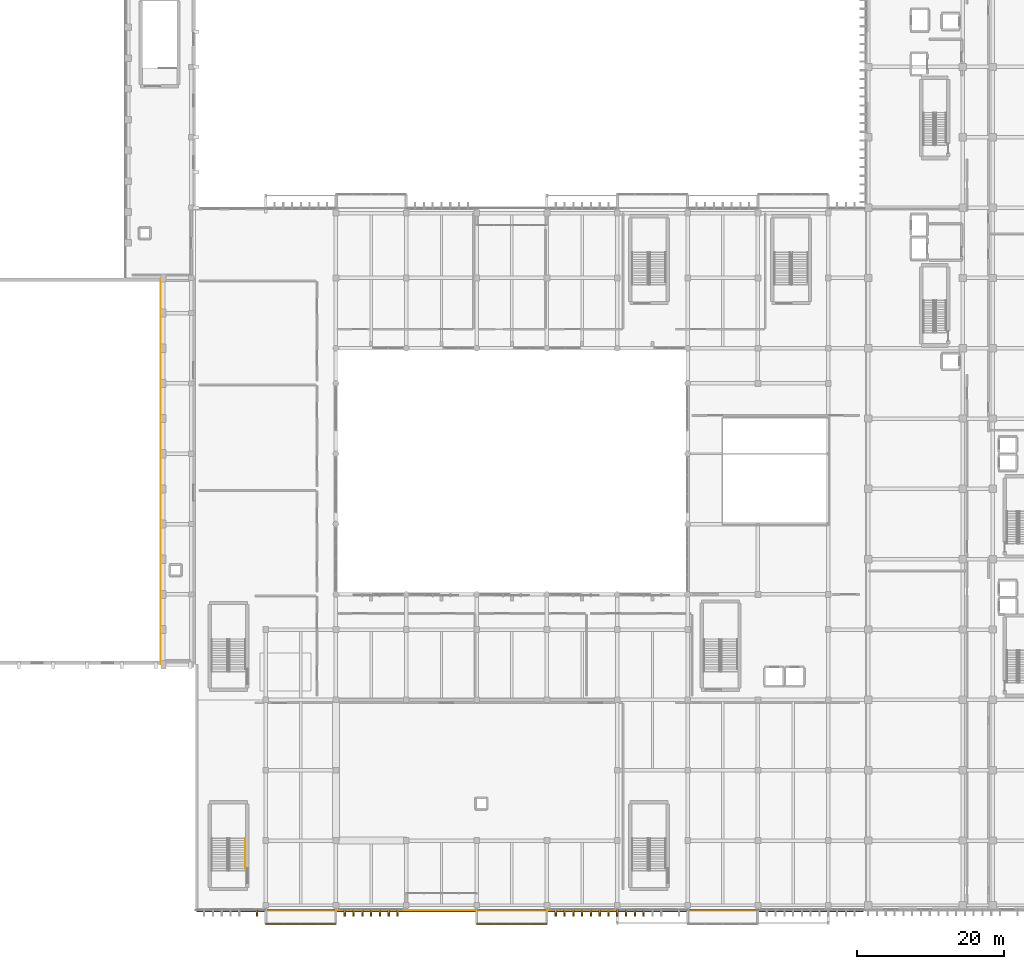
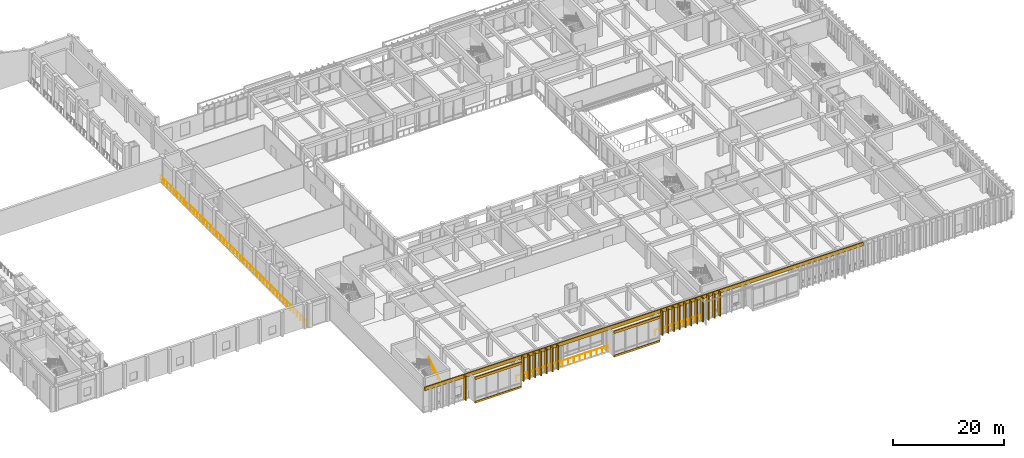
# One storey, part 120 of 134: 24 coverings, 19 shading devices, 5 railings.
"""IFC4 building model written with IfcOpenShell, lengths in metres."""

from ifc_helpers import new_model, si_unit, direction, frame, origin, origin_2d, place, context, subcontext, project, spatial, rectangle, circle, extrude, material, layer, layer_set, type_object, element, save


model = new_model("IFC4")

# Units and contexts
model_context = context("Model", 3, precision=1e-05, world=origin(), true_north=direction((0.0, 1.0)))
body_context = subcontext(model_context, "Body", "Model", "MODEL_VIEW")
ifc_project = project(units=[si_unit("LENGTHUNIT", "METRE"), si_unit("AREAUNIT", "SQUARE_METRE"), si_unit("VOLUMEUNIT", "CUBIC_METRE"), si_unit("PLANEANGLEUNIT", "RADIAN"), si_unit("MASSUNIT", "GRAM", prefix="KILO")], contexts=[model_context])

# Site, building, storey
site_placement = place(None, origin())
site = spatial("IfcSite", under=ifc_project, at=site_placement, CompositionType="ELEMENT")
building_placement = place(site_placement, origin())
building = spatial("IfcBuilding", under=site, at=building_placement, Name="Nakhvara Creek Congress Hotel", CompositionType="ELEMENT")
storey_placement = place(building_placement, frame((0.0, 0.0, 6.0)))
storey = spatial("IfcBuildingStorey", under=building, at=storey_placement, Name="L01", CompositionType="ELEMENT", Elevation=6.0)

# Coverings
ifc_material_1 = material(Name="Honed pale Omani limestone architectural cladding", Category="masonry")
ifc_layer_1 = layer(ifc_material_1, 0.219970703125)
ifc_layer_set_1 = layer_set([ifc_layer_1], Name="Honed pale Omani limestone architectural cladding")
covering_type_1 = type_object("IfcCoveringType", Name="COV-FIN-850", PredefinedType="CLADDING", material=ifc_layer_set_1)
for number, where, z_axis, x_axis, name in (
    (1, (66.0, -0.304931640625, 0.0), (0.0, 0.0, 1.0), (1.0, 0.0, 0.0), "Pale Limestone Fin Cladding CF01-0153"),
    (2, (78.0, -0.304931640625, 0.0), (0.0, 0.0, 1.0), (1.0, 0.0, 0.0), "Pale Limestone Fin Cladding CF01-0154"),
    (3, (79.199951171875, -0.304931640625, 0.0), (0.0, 0.0, 1.0), (1.0, 0.0, 0.0), "Pale Limestone Fin Cladding CF01-0155"),
    (4, (80.39990234375, -0.304931640625, 0.0), (0.0, 0.0, 1.0), (1.0, 0.0, 0.0), "Pale Limestone Fin Cladding CF01-0156"),
    (5, (81.60009765625, -0.304931640625, 0.0), (0.0, 0.0, 1.0), (1.0, 0.0, 0.0), "Pale Limestone Fin Cladding CF01-0157"),
    (6, (82.800048828125, -0.304931640625, 0.0), (0.0, 0.0, 1.0), (1.0, 0.0, 0.0), "Pale Limestone Fin Cladding CF01-0158"),
    (7, (84.0, -0.304931640625, 0.0), (0.0, 0.0, 1.0), (1.0, 0.0, 0.0), "Pale Limestone Fin Cladding CF01-0159"),
    (8, (85.199951171875, -0.304931640625, 0.0), (0.0, 0.0, 1.0), (1.0, 0.0, 0.0), "Pale Limestone Fin Cladding CF01-0160"),
    (9, (106.800048828125, -0.304931640625, 0.0), (0.0, 0.0, 1.0), (1.0, 0.0, 0.0), "Pale Limestone Fin Cladding CF01-0161"),
    (10, (108.0, -0.304931640625, 0.0), (0.0, 0.0, 1.0), (1.0, 0.0, 0.0), "Pale Limestone Fin Cladding CF01-0162"),
    (11, (109.199951171875, -0.304931640625, 0.0), (0.0, 0.0, 1.0), (1.0, 0.0, 0.0), "Pale Limestone Fin Cladding CF01-0163"),
    (12, (110.39990234375, -0.304931640625, 0.0), (0.0, 0.0, 1.0), (1.0, 0.0, 0.0), "Pale Limestone Fin Cladding CF01-0164"),
    (13, (111.60009765625, -0.304931640625, 0.0), (0.0, 0.0, 1.0), (1.0, 0.0, 0.0), "Pale Limestone Fin Cladding CF01-0165"),
    (14, (112.800048828125, -0.304931640625, 0.0), (0.0, 0.0, 1.0), (1.0, 0.0, 0.0), "Pale Limestone Fin Cladding CF01-0166"),
    (15, (114.0, -0.304931640625, 0.0), (0.0, 0.0, 1.0), (1.0, 0.0, 0.0), "Pale Limestone Fin Cladding CF01-0167"),
    (16, (115.199951171875, -0.304931640625, 0.0), (0.0, 0.0, 1.0), (1.0, 0.0, 0.0), "Pale Limestone Fin Cladding CF01-0168"),
    (17, (116.39990234375, -0.304931640625, 0.0), (0.0, 0.0, 1.0), (1.0, 0.0, 0.0), "Pale Limestone Fin Cladding CF01-0169"),
    (18, (117.60009765625, -0.304931640625, 0.0), (0.0, 0.0, 1.0), (1.0, 0.0, 0.0), "Pale Limestone Fin Cladding CF01-0170"),
    (19, (118.800048828125, -0.304931640625, 0.0), (0.0, 0.0, 1.0), (1.0, 0.0, 0.0), "Pale Limestone Fin Cladding CF01-0171"),
):
    element("IfcCovering", number, at=place(storey_placement, frame(where, z_axis=z_axis, x_axis=x_axis)), inside=storey, type_object=covering_type_1, Name=name, PredefinedType="CLADDING", context=body_context, shape_type="SweptSolid", body=[
        extrude(rectangle(XDim=0.219970703125, YDim=0.85009765625, at=origin_2d()), origin(), (0.0, 0.0, 1.0), 5.320068359375),
    ])
ifc_layer_2 = layer(ifc_material_1, 0.179931640625)
ifc_layer_set_2 = layer_set([ifc_layer_2], Name="Honed pale Omani limestone architectural cladding")
covering_type_2 = type_object("IfcCoveringType", Name="COV-SPN-180", PredefinedType="CLADDING", material=ifc_layer_set_2)
covering_1_placement = place(storey_placement, frame((103.300048828125, 0.010009765625, 4.64013671875), z_axis=(0.0, 0.0, 1.0), x_axis=(1.0, 0.0, 0.0)))
element("IfcCovering", 20, at=covering_1_placement, inside=storey, type_object=covering_type_2, Name="Pale Limestone Spandrel Band CF02-0005", PredefinedType="CLADDING", context=body_context, shape_type="SweptSolid", body=[
    extrude(rectangle(XDim=91.0, YDim=0.219970703125, at=origin_2d()), origin(), (0.0, 0.0, 1.0), 0.780029296875),
])
covering_2_placement = place(storey_placement, frame((72.0, -1.800048828125, -0.260009765625), z_axis=(0.0, 0.0, 1.0), x_axis=(1.0, 0.0, 0.0)))
element("IfcCovering", 21, at=covering_2_placement, inside=storey, type_object=covering_type_2, Name="Pale Limestone Spandrel Band CF02-0012", PredefinedType="CLADDING", context=body_context, shape_type="SweptSolid", body=[
    extrude(rectangle(XDim=9.60009765625, YDim=0.199951171875, at=origin_2d()), origin(), (0.0, 0.0, 1.0), 0.419921875),
])
covering_3_placement = place(storey_placement, frame((72.0, -1.800048828125, 4.89990234375), z_axis=(0.0, 0.0, 1.0), x_axis=(1.0, 0.0, 0.0)))
element("IfcCovering", 22, at=covering_3_placement, inside=storey, type_object=covering_type_2, Name="Pale Limestone Spandrel Band CF02-0013", PredefinedType="CLADDING", context=body_context, shape_type="SweptSolid", body=[
    extrude(rectangle(XDim=9.60009765625, YDim=0.199951171875, at=origin_2d()), origin(), (0.0, 0.0, 1.0), 0.56005859375),
])
covering_4_placement = place(storey_placement, frame((100.800048828125, -1.800048828125, -0.260009765625), z_axis=(0.0, 0.0, 1.0), x_axis=(1.0, 0.0, 0.0)))
element("IfcCovering", 23, at=covering_4_placement, inside=storey, type_object=covering_type_2, Name="Pale Limestone Spandrel Band CF02-0014", PredefinedType="CLADDING", context=body_context, shape_type="SweptSolid", body=[
    extrude(rectangle(XDim=9.60009765625, YDim=0.199951171875, at=origin_2d()), origin(), (0.0, 0.0, 1.0), 0.419921875),
])
covering_5_placement = place(storey_placement, frame((100.800048828125, -1.800048828125, 4.89990234375), z_axis=(0.0, 0.0, 1.0), x_axis=(1.0, 0.0, 0.0)))
element("IfcCovering", 24, at=covering_5_placement, inside=storey, type_object=covering_type_2, Name="Pale Limestone Spandrel Band CF02-0015", PredefinedType="CLADDING", context=body_context, shape_type="SweptSolid", body=[
    extrude(rectangle(XDim=9.60009765625, YDim=0.199951171875, at=origin_2d()), origin(), (0.0, 0.0, 1.0), 0.56005859375),
])

# Railings
ifc_material_2 = material(Name="Bronze-anodised aluminium and laminated safety glass balustrade", Category="aluminium")
railing_type_1 = type_object("IfcRailingType", Name="RL-BALUS-1200", PredefinedType="BALUSTRADE", material=ifc_material_2)
railing_1_placement = place(storey_placement, frame((86.47998046875, 0.080078125, 0.0)))
element("IfcRailing", 25, at=railing_1_placement, inside=storey, type_object=railing_type_1, Name="South Loggia Balustrade RBOX-L01-S1", PredefinedType="BALUSTRADE", context=body_context, shape_type="SweptSolid", body=[
    extrude(circle(Radius=0.02392578125, at=origin_2d()), frame((0.0146484375, 0.0, 1.17578125), z_axis=(1.0, 0.0, 0.0), x_axis=(0.0, 1.0, 0.0)), (0.0, 0.0, 1.0), 9.41064453125),
    extrude(circle(Radius=0.02099609375, at=origin_2d()), origin(), (0.0, 0.0, 1.0), 1.1806640625),
    extrude(circle(Radius=0.02099609375, at=origin_2d()), frame((1.179931640625, 0.0, 0.0)), (0.0, 0.0, 1.0), 1.1806640625),
    extrude(circle(Radius=0.02099609375, at=origin_2d()), frame((2.35986328125, 0.0, 0.0)), (0.0, 0.0, 1.0), 1.1806640625),
    extrude(circle(Radius=0.02099609375, at=origin_2d()), frame((3.5400390625, 0.0, 0.0)), (0.0, 0.0, 1.0), 1.1806640625),
    extrude(circle(Radius=0.02099609375, at=origin_2d()), frame((4.719970703125, 0.0, 0.0)), (0.0, 0.0, 1.0), 1.1806640625),
    extrude(circle(Radius=0.02099609375, at=origin_2d()), frame((5.89990234375, 0.0, 0.0)), (0.0, 0.0, 1.0), 1.1806640625),
    extrude(circle(Radius=0.02099609375, at=origin_2d()), frame((7.080078125, 0.0, 0.0)), (0.0, 0.0, 1.0), 1.1806640625),
    extrude(circle(Radius=0.02099609375, at=origin_2d()), frame((8.260009765625, 0.0, 0.0)), (0.0, 0.0, 1.0), 1.1806640625),
    extrude(circle(Radius=0.02099609375, at=origin_2d()), frame((9.43994140625, 0.0, 0.0)), (0.0, 0.0, 1.0), 1.1806640625),
])
ifc_material_3 = material(Name="Brushed stainless steel 316L", Category="steel")
railing_type_2 = type_object("IfcRailingType", Name="RL-GUARD-1200", PredefinedType="GUARDRAIL", material=ifc_material_3)
for number, where, name in (
    (26, (76.860107421875, 0.080078125, 0.0), "South Spa Facade Safety Rail L01-76"),
    (27, (105.659912109375, 0.080078125, 0.0), "South Spa Facade Safety Rail L01-105"),
):
    element("IfcRailing", number, at=place(storey_placement, frame(where)), inside=storey, type_object=railing_type_2, Name=name, PredefinedType="GUARDRAIL", context=body_context, shape_type="SweptSolid", body=[
        extrude(circle(Radius=0.02392578125, at=origin_2d()), frame((0.0146484375, 0.0, 1.17578125), z_axis=(1.0, 0.0, 0.0), x_axis=(0.0, 1.0, 0.0)), (0.0, 0.0, 1.0), 9.45068359375),
        extrude(circle(Radius=0.02099609375, at=origin_2d()), origin(), (0.0, 0.0, 1.0), 1.1806640625),
        extrude(circle(Radius=0.02099609375, at=origin_2d()), frame((1.18505859375, 0.0, 0.0)), (0.0, 0.0, 1.0), 1.1806640625),
        extrude(circle(Radius=0.02099609375, at=origin_2d()), frame((2.3701171875, 0.0, 0.0)), (0.0, 0.0, 1.0), 1.1806640625),
        extrude(circle(Radius=0.02099609375, at=origin_2d()), frame((3.554931640625, 0.0, 0.0)), (0.0, 0.0, 1.0), 1.1806640625),
        extrude(circle(Radius=0.02099609375, at=origin_2d()), frame((4.739990234375, 0.0, 0.0)), (0.0, 0.0, 1.0), 1.1806640625),
        extrude(circle(Radius=0.02099609375, at=origin_2d()), frame((5.925048828125, 0.0, 0.0)), (0.0, 0.0, 1.0), 1.1806640625),
        extrude(circle(Radius=0.02099609375, at=origin_2d()), frame((7.10986328125, 0.0, 0.0)), (0.0, 0.0, 1.0), 1.1806640625),
        extrude(circle(Radius=0.02099609375, at=origin_2d()), frame((8.294921875, 0.0, 0.0)), (0.0, 0.0, 1.0), 1.1806640625),
        extrude(circle(Radius=0.02099609375, at=origin_2d()), frame((9.47998046875, 0.0, 0.0)), (0.0, 0.0, 1.0), 1.1806640625),
    ])
railing_2_placement = place(storey_placement, frame((52.8798828125, 33.699951171875, 0.0)))
element("IfcRailing", 28, at=railing_2_placement, inside=storey, type_object=railing_type_2, Name="Stage Gallery Inner Guard L01", PredefinedType="GUARDRAIL", context=body_context, shape_type="SweptSolid", body=[
    extrude(circle(Radius=0.02392578125, at=origin_2d()), frame((0.0, 0.0146484375, 1.17578125), z_axis=(0.0, 1.0, 0.0), x_axis=(-1.0, 0.0, 0.0)), (0.0, 0.0, 1.0), 52.57080078125),
    extrude(circle(Radius=0.02099609375, at=origin_2d()), origin(), (0.0, 0.0, 1.0), 1.1806640625),
    extrude(circle(Radius=0.02099609375, at=origin_2d()), frame((0.0, 1.195556640625, 0.0)), (0.0, 0.0, 1.0), 1.1806640625),
    extrude(circle(Radius=0.02099609375, at=origin_2d()), frame((0.0, 2.390869140625, 0.0)), (0.0, 0.0, 1.0), 1.1806640625),
    extrude(circle(Radius=0.02099609375, at=origin_2d()), frame((0.0, 3.58642578125, 0.0)), (0.0, 0.0, 1.0), 1.1806640625),
    extrude(circle(Radius=0.02099609375, at=origin_2d()), frame((0.0, 4.78173828125, 0.0)), (0.0, 0.0, 1.0), 1.1806640625),
    extrude(circle(Radius=0.02099609375, at=origin_2d()), frame((0.0, 5.977294921875, 0.0)), (0.0, 0.0, 1.0), 1.1806640625),
    extrude(circle(Radius=0.02099609375, at=origin_2d()), frame((0.0, 7.1728515625, 0.0)), (0.0, 0.0, 1.0), 1.1806640625),
    extrude(circle(Radius=0.02099609375, at=origin_2d()), frame((0.0, 8.3681640625, 0.0)), (0.0, 0.0, 1.0), 1.1806640625),
    extrude(circle(Radius=0.02099609375, at=origin_2d()), frame((0.0, 9.563720703125, 0.0)), (0.0, 0.0, 1.0), 1.1806640625),
    extrude(circle(Radius=0.02099609375, at=origin_2d()), frame((0.0, 10.759033203125, 0.0)), (0.0, 0.0, 1.0), 1.1806640625),
    extrude(circle(Radius=0.02099609375, at=origin_2d()), frame((0.0, 11.95458984375, 0.0)), (0.0, 0.0, 1.0), 1.1806640625),
    extrude(circle(Radius=0.02099609375, at=origin_2d()), frame((0.0, 13.14990234375, 0.0)), (0.0, 0.0, 1.0), 1.1806640625),
    extrude(circle(Radius=0.02099609375, at=origin_2d()), frame((0.0, 14.345458984375, 0.0)), (0.0, 0.0, 1.0), 1.1806640625),
    extrude(circle(Radius=0.02099609375, at=origin_2d()), frame((0.0, 15.541015625, 0.0)), (0.0, 0.0, 1.0), 1.1806640625),
    extrude(circle(Radius=0.02099609375, at=origin_2d()), frame((0.0, 16.736328125, 0.0)), (0.0, 0.0, 1.0), 1.1806640625),
    extrude(circle(Radius=0.02099609375, at=origin_2d()), frame((0.0, 17.931884765625, 0.0)), (0.0, 0.0, 1.0), 1.1806640625),
    extrude(circle(Radius=0.02099609375, at=origin_2d()), frame((0.0, 19.127197265625, 0.0)), (0.0, 0.0, 1.0), 1.1806640625),
    extrude(circle(Radius=0.02099609375, at=origin_2d()), frame((0.0, 20.32275390625, 0.0)), (0.0, 0.0, 1.0), 1.1806640625),
    extrude(circle(Radius=0.02099609375, at=origin_2d()), frame((0.0, 21.518310546875, 0.0)), (0.0, 0.0, 1.0), 1.1806640625),
    extrude(circle(Radius=0.02099609375, at=origin_2d()), frame((0.0, 22.713623046875, 0.0)), (0.0, 0.0, 1.0), 1.1806640625),
    extrude(circle(Radius=0.02099609375, at=origin_2d()), frame((0.0, 23.9091796875, 0.0)), (0.0, 0.0, 1.0), 1.1806640625),
    extrude(circle(Radius=0.02099609375, at=origin_2d()), frame((0.0, 25.1044921875, 0.0)), (0.0, 0.0, 1.0), 1.1806640625),
    extrude(circle(Radius=0.02099609375, at=origin_2d()), frame((0.0, 26.300048828125, 0.0)), (0.0, 0.0, 1.0), 1.1806640625),
    extrude(circle(Radius=0.02099609375, at=origin_2d()), frame((0.0, 27.49560546875, 0.0)), (0.0, 0.0, 1.0), 1.1806640625),
    extrude(circle(Radius=0.02099609375, at=origin_2d()), frame((0.0, 28.69091796875, 0.0)), (0.0, 0.0, 1.0), 1.1806640625),
    extrude(circle(Radius=0.02099609375, at=origin_2d()), frame((0.0, 29.886474609375, 0.0)), (0.0, 0.0, 1.0), 1.1806640625),
    extrude(circle(Radius=0.02099609375, at=origin_2d()), frame((0.0, 31.081787109375, 0.0)), (0.0, 0.0, 1.0), 1.1806640625),
    extrude(circle(Radius=0.02099609375, at=origin_2d()), frame((0.0, 32.27734375, 0.0)), (0.0, 0.0, 1.0), 1.1806640625),
    extrude(circle(Radius=0.02099609375, at=origin_2d()), frame((0.0, 33.472900390625, 0.0)), (0.0, 0.0, 1.0), 1.1806640625),
    extrude(circle(Radius=0.02099609375, at=origin_2d()), frame((0.0, 34.668212890625, 0.0)), (0.0, 0.0, 1.0), 1.1806640625),
    extrude(circle(Radius=0.02099609375, at=origin_2d()), frame((0.0, 35.86376953125, 0.0)), (0.0, 0.0, 1.0), 1.1806640625),
    extrude(circle(Radius=0.02099609375, at=origin_2d()), frame((0.0, 37.05908203125, 0.0)), (0.0, 0.0, 1.0), 1.1806640625),
    extrude(circle(Radius=0.02099609375, at=origin_2d()), frame((0.0, 38.254638671875, 0.0)), (0.0, 0.0, 1.0), 1.1806640625),
    extrude(circle(Radius=0.02099609375, at=origin_2d()), frame((0.0, 39.4501953125, 0.0)), (0.0, 0.0, 1.0), 1.1806640625),
    extrude(circle(Radius=0.02099609375, at=origin_2d()), frame((0.0, 40.6455078125, 0.0)), (0.0, 0.0, 1.0), 1.1806640625),
    extrude(circle(Radius=0.02099609375, at=origin_2d()), frame((0.0, 41.841064453125, 0.0)), (0.0, 0.0, 1.0), 1.1806640625),
    extrude(circle(Radius=0.02099609375, at=origin_2d()), frame((0.0, 43.036376953125, 0.0)), (0.0, 0.0, 1.0), 1.1806640625),
    extrude(circle(Radius=0.02099609375, at=origin_2d()), frame((0.0, 44.23193359375, 0.0)), (0.0, 0.0, 1.0), 1.1806640625),
    extrude(circle(Radius=0.02099609375, at=origin_2d()), frame((0.0, 45.42724609375, 0.0)), (0.0, 0.0, 1.0), 1.1806640625),
    extrude(circle(Radius=0.02099609375, at=origin_2d()), frame((0.0, 46.622802734375, 0.0)), (0.0, 0.0, 1.0), 1.1806640625),
    extrude(circle(Radius=0.02099609375, at=origin_2d()), frame((0.0, 47.818359375, 0.0)), (0.0, 0.0, 1.0), 1.1806640625),
    extrude(circle(Radius=0.02099609375, at=origin_2d()), frame((0.0, 49.013671875, 0.0)), (0.0, 0.0, 1.0), 1.1806640625),
    extrude(circle(Radius=0.02099609375, at=origin_2d()), frame((0.0, 50.209228515625, 0.0)), (0.0, 0.0, 1.0), 1.1806640625),
    extrude(circle(Radius=0.02099609375, at=origin_2d()), frame((0.0, 51.404541015625, 0.0)), (0.0, 0.0, 1.0), 1.1806640625),
    extrude(circle(Radius=0.02099609375, at=origin_2d()), frame((0.0, 52.60009765625, 0.0)), (0.0, 0.0, 1.0), 1.1806640625),
])
railing_type_3 = type_object("IfcRailingType", Name="RL-HAND-900", PredefinedType="HANDRAIL", material=ifc_material_3)
railing_3_placement = place(storey_placement, frame((64.405029296875, 5.794921875, 0.360107421875)))
element("IfcRailing", 29, at=railing_3_placement, inside=storey, type_object=railing_type_3, Name="L01 ST11 stair handrail 1", PredefinedType="HANDRAIL", context=body_context, shape_type="SweptSolid", body=[
    extrude(circle(Radius=0.02392578125, at=origin_2d()), frame((0.0, 0.012451171875, 0.883544921875), z_axis=(0.0, 0.850634571024, 0.52575738376), x_axis=(-1.0, 0.0, 0.0)), (0.0, 0.0, 1.0), 4.78466796875),
    extrude(circle(Radius=0.02099609375, at=origin_2d()), origin(), (0.0, 0.0, 1.0), 0.880615234375),
    extrude(circle(Radius=0.02099609375, at=origin_2d()), frame((0.0, 0.819091796875, 0.506103515625)), (0.0, 0.0, 1.0), 0.880615234375),
    extrude(circle(Radius=0.02099609375, at=origin_2d()), frame((0.0, 1.637939453125, 1.012451171875)), (0.0, 0.0, 1.0), 0.880615234375),
    extrude(circle(Radius=0.02099609375, at=origin_2d()), frame((0.0, 2.45703125, 1.5185546875)), (0.0, 0.0, 1.0), 0.880615234375),
    extrude(circle(Radius=0.02099609375, at=origin_2d()), frame((0.0, 3.27587890625, 2.02490234375)), (0.0, 0.0, 1.0), 0.880615234375),
    extrude(circle(Radius=0.02099609375, at=origin_2d()), frame((0.0, 4.094970703125, 2.531005859375)), (0.0, 0.0, 1.0), 0.880615234375),
])

# Shading devices
ifc_material_4 = material(Name="Honed pale Omani limestone cladding on stainless steel spine", Category="masonry")
shading_device_type = type_object("IfcShadingDeviceType", Name="SHD-FIN-850X4700", PredefinedType="USERDEFINED", material=ifc_material_4)
for number, where, z_axis, x_axis, name in (
    (30, (66.0, -0.304931640625, 0.0), (0.0, 0.0, 1.0), (1.0, 0.0, 0.0), "Limestone Solar Fin FN02-0153"),
    (31, (78.0, -0.304931640625, 0.0), (0.0, 0.0, 1.0), (1.0, 0.0, 0.0), "Limestone Solar Fin FN02-0154"),
    (32, (79.199951171875, -0.304931640625, 0.0), (0.0, 0.0, 1.0), (1.0, 0.0, 0.0), "Limestone Solar Fin FN02-0155"),
    (33, (80.39990234375, -0.304931640625, 0.0), (0.0, 0.0, 1.0), (1.0, 0.0, 0.0), "Limestone Solar Fin FN02-0156"),
    (34, (81.60009765625, -0.304931640625, 0.0), (0.0, 0.0, 1.0), (1.0, 0.0, 0.0), "Limestone Solar Fin FN02-0157"),
    (35, (82.800048828125, -0.304931640625, 0.0), (0.0, 0.0, 1.0), (1.0, 0.0, 0.0), "Limestone Solar Fin FN02-0158"),
    (36, (84.0, -0.304931640625, 0.0), (0.0, 0.0, 1.0), (1.0, 0.0, 0.0), "Limestone Solar Fin FN02-0159"),
    (37, (85.199951171875, -0.304931640625, 0.0), (0.0, 0.0, 1.0), (1.0, 0.0, 0.0), "Limestone Solar Fin FN02-0160"),
    (38, (106.800048828125, -0.304931640625, 0.0), (0.0, 0.0, 1.0), (1.0, 0.0, 0.0), "Limestone Solar Fin FN02-0161"),
    (39, (108.0, -0.304931640625, 0.0), (0.0, 0.0, 1.0), (1.0, 0.0, 0.0), "Limestone Solar Fin FN02-0162"),
    (40, (109.199951171875, -0.304931640625, 0.0), (0.0, 0.0, 1.0), (1.0, 0.0, 0.0), "Limestone Solar Fin FN02-0163"),
    (41, (110.39990234375, -0.304931640625, 0.0), (0.0, 0.0, 1.0), (1.0, 0.0, 0.0), "Limestone Solar Fin FN02-0164"),
    (42, (111.60009765625, -0.304931640625, 0.0), (0.0, 0.0, 1.0), (1.0, 0.0, 0.0), "Limestone Solar Fin FN02-0165"),
    (43, (112.800048828125, -0.304931640625, 0.0), (0.0, 0.0, 1.0), (1.0, 0.0, 0.0), "Limestone Solar Fin FN02-0166"),
    (44, (114.0, -0.304931640625, 0.0), (0.0, 0.0, 1.0), (1.0, 0.0, 0.0), "Limestone Solar Fin FN02-0167"),
    (45, (115.199951171875, -0.304931640625, 0.0), (0.0, 0.0, 1.0), (1.0, 0.0, 0.0), "Limestone Solar Fin FN02-0168"),
    (46, (116.39990234375, -0.304931640625, 0.0), (0.0, 0.0, 1.0), (1.0, 0.0, 0.0), "Limestone Solar Fin FN02-0169"),
    (47, (117.60009765625, -0.304931640625, 0.0), (0.0, 0.0, 1.0), (1.0, 0.0, 0.0), "Limestone Solar Fin FN02-0170"),
    (48, (118.800048828125, -0.304931640625, 0.0), (0.0, 0.0, 1.0), (1.0, 0.0, 0.0), "Limestone Solar Fin FN02-0171"),
):
    element("IfcShadingDevice", number, at=place(storey_placement, frame(where, z_axis=z_axis, x_axis=x_axis)), inside=storey, type_object=shading_device_type, Name=name, ObjectType="FIN", PredefinedType="USERDEFINED", context=body_context, shape_type="SweptSolid", body=[
        extrude(rectangle(XDim=0.199951171875, YDim=0.85009765625, at=origin_2d()), origin(), (0.0, 0.0, 1.0), 5.320068359375),
    ])

save(model, "model.ifc")
